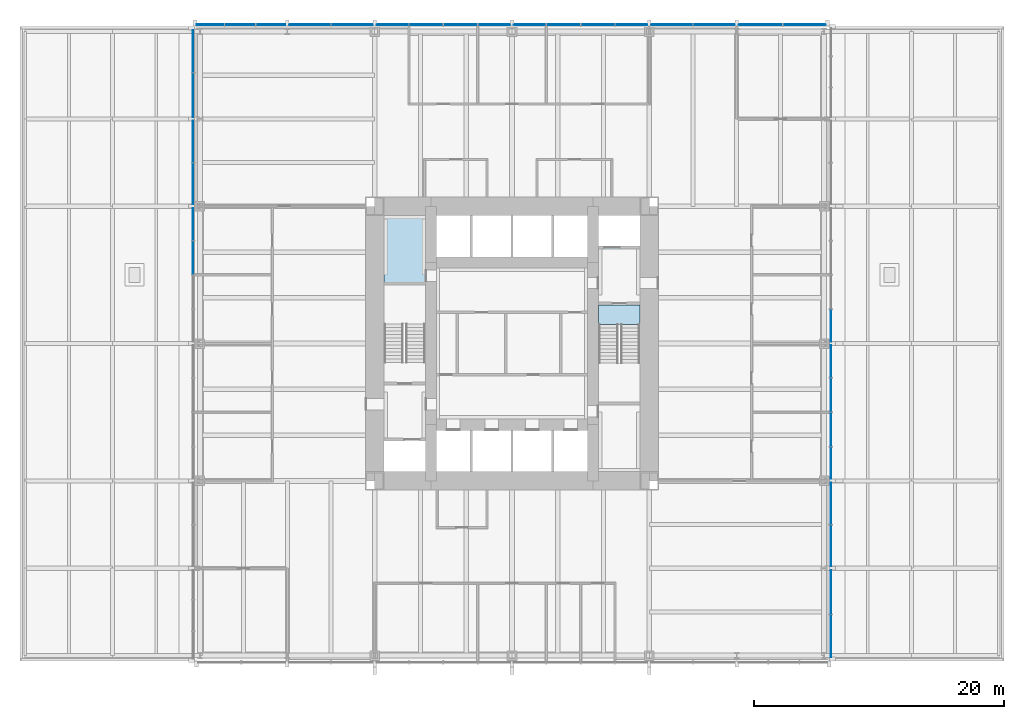
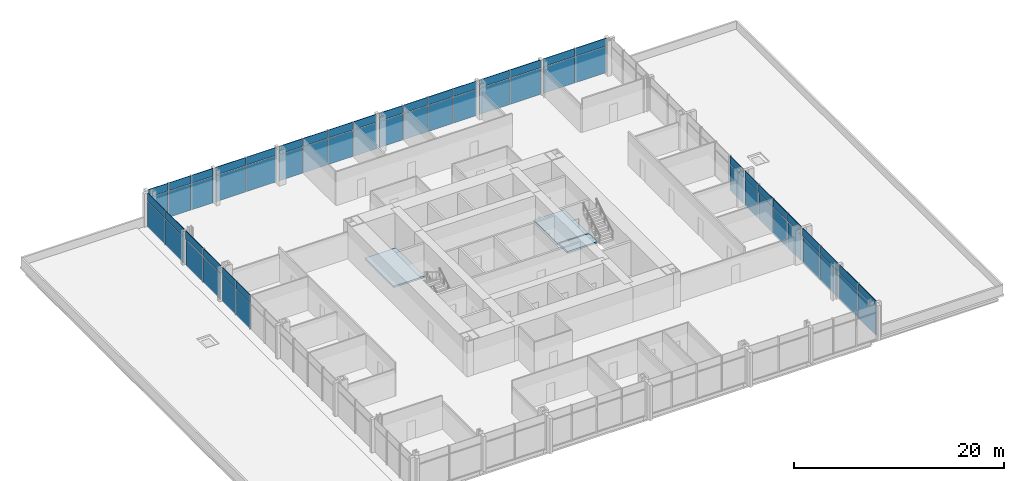
# One storey, part 10 of 15: 64 plates, 3 slabs, 4 elements without a shape of their own.
"""IFC4 building model written with IfcOpenShell, lengths in metres."""

from ifc_helpers import new_model, si_unit, direction, frame, origin, origin_2d, place, context, subcontext, project, spatial, polyline, rectangle, outline, extrude, material, layer, layer_set, type_object, element, aggregate, save


model = new_model("IFC4")

# Units and contexts
model_context = context("Model", 3, precision=1e-05, world=origin(), true_north=direction((0.0, 1.0)))
body_context = subcontext(model_context, "Body", "Model", "MODEL_VIEW")
ifc_project = project(units=[si_unit("LENGTHUNIT", "METRE"), si_unit("AREAUNIT", "SQUARE_METRE"), si_unit("VOLUMEUNIT", "CUBIC_METRE"), si_unit("PLANEANGLEUNIT", "RADIAN"), si_unit("MASSUNIT", "GRAM", prefix="KILO")], contexts=[model_context])

# Site, building, storey
site_placement = place(None, origin())
site = spatial("IfcSite", under=ifc_project, at=site_placement, CompositionType="ELEMENT")
building_placement = place(site_placement, origin())
building = spatial("IfcBuilding", under=site, at=building_placement, Name="Trevanion Tower", CompositionType="ELEMENT")
storey_placement = place(building_placement, frame((0.0, 0.0, 16.0)))
storey = spatial("IfcBuildingStorey", under=building, at=storey_placement, Name="L03", CompositionType="ELEMENT", Elevation=16.0)

# Curtain wall, plates
ifc_material_1 = material(Name="Aluminium and glass", Category="aluminium")
curtain_wall_type = type_object("IfcCurtainWallType", Name="CW1 curtain wall", PredefinedType="USERDEFINED", material=ifc_material_1)
curtain_wall_1_placement = place(storey_placement, origin())
curtain_wall_1 = element("IfcCurtainWall", 1, at=curtain_wall_1_placement, inside=storey, type_object=curtain_wall_type, Name="CW1 L03 0", ObjectType="UNITISED CURTAIN WALL", PredefinedType="USERDEFINED")
ifc_material_2 = material(Name="Aluminium spandrel panel", Category="aluminium")
ifc_layer_1 = layer(ifc_material_2, 0.06005859375)
ifc_layer_set_1 = layer_set([ifc_layer_1], Name="CW1 spandrel panel")
plate_type_1 = type_object("IfcPlateType", Name="CW1 spandrel panel", PredefinedType="CURTAIN_PANEL", material=ifc_layer_set_1)
plate_1_placement = place(storey_placement, frame((25.550048828125, -23.433837890625, 2.997314453125), z_axis=(0.0, 0.0, 1.0), x_axis=(0.0, 1.0, 0.0)))
plate_1 = element("IfcPlate", 2, at=plate_1_placement, type_object=plate_type_1, Name="CW1 panel 1.2", PredefinedType="CURTAIN_PANEL", context=body_context, shape_type="SweptSolid", body=[
    extrude(rectangle(XDim=3.37255859375, YDim=0.06005859375, at=origin_2d()), origin(), (0.0, 0.0, 1.0), 0.91259765625),
])
plate_2_placement = place(storey_placement, frame((25.550048828125, -19.911376953125, 2.997314453125), z_axis=(0.0, 0.0, 1.0), x_axis=(0.0, 1.0, 0.0)))
plate_2 = element("IfcPlate", 3, at=plate_2_placement, type_object=plate_type_1, Name="CW1 panel 2.2", PredefinedType="CURTAIN_PANEL", context=body_context, shape_type="SweptSolid", body=[
    extrude(rectangle(XDim=3.5224609375, YDim=0.06005859375, at=origin_2d()), origin(), (0.0, 0.0, 1.0), 0.91259765625),
])
plate_3_placement = place(storey_placement, frame((25.550048828125, -16.19384765625, 2.997314453125), z_axis=(0.0, 0.0, 1.0), x_axis=(0.0, 1.0, 0.0)))
plate_3 = element("IfcPlate", 4, at=plate_3_placement, type_object=plate_type_1, Name="CW1 panel 3.2", PredefinedType="CURTAIN_PANEL", context=body_context, shape_type="SweptSolid", body=[
    extrude(rectangle(XDim=3.3125, YDim=0.06005859375, at=origin_2d()), origin(), (0.0, 0.0, 1.0), 0.91259765625),
])
plate_4_placement = place(storey_placement, frame((25.550048828125, -12.806396484375, 2.997314453125), z_axis=(0.0, 0.0, 1.0), x_axis=(0.0, 1.0, 0.0)))
plate_4 = element("IfcPlate", 5, at=plate_4_placement, type_object=plate_type_1, Name="CW1 panel 4.2", PredefinedType="CURTAIN_PANEL", context=body_context, shape_type="SweptSolid", body=[
    extrude(rectangle(XDim=3.3125, YDim=0.06005859375, at=origin_2d()), origin(), (0.0, 0.0, 1.0), 0.91259765625),
])
plate_5_placement = place(storey_placement, frame((25.550048828125, -9.56884765625, 2.997314453125), z_axis=(0.0, 0.0, 1.0), x_axis=(0.0, 1.0, 0.0)))
plate_5 = element("IfcPlate", 6, at=plate_5_placement, type_object=plate_type_1, Name="CW1 panel 5.2", PredefinedType="CURTAIN_PANEL", context=body_context, shape_type="SweptSolid", body=[
    extrude(rectangle(XDim=2.5625, YDim=0.06005859375, at=origin_2d()), origin(), (0.0, 0.0, 1.0), 0.91259765625),
])
plate_6_placement = place(storey_placement, frame((25.550048828125, -6.875, 2.997314453125), z_axis=(0.0, 0.0, 1.0), x_axis=(0.0, 1.0, 0.0)))
plate_6 = element("IfcPlate", 7, at=plate_6_placement, type_object=plate_type_1, Name="CW1 panel 6.2", PredefinedType="CURTAIN_PANEL", context=body_context, shape_type="SweptSolid", body=[
    extrude(rectangle(XDim=2.675048828125, YDim=0.06005859375, at=origin_2d()), origin(), (0.0, 0.0, 1.0), 0.91259765625),
])
plate_7_placement = place(storey_placement, frame((25.550048828125, -4.125, 2.997314453125), z_axis=(0.0, 0.0, 1.0), x_axis=(0.0, 1.0, 0.0)))
plate_7 = element("IfcPlate", 8, at=plate_7_placement, type_object=plate_type_1, Name="CW1 panel 7.2", PredefinedType="CURTAIN_PANEL", context=body_context, shape_type="SweptSolid", body=[
    extrude(rectangle(XDim=2.675048828125, YDim=0.06005859375, at=origin_2d()), origin(), (0.0, 0.0, 1.0), 0.91259765625),
])
plate_8_placement = place(storey_placement, frame((25.550048828125, -1.43115234375, 2.997314453125), z_axis=(0.0, 0.0, 1.0), x_axis=(0.0, 1.0, 0.0)))
plate_8 = element("IfcPlate", 9, at=plate_8_placement, type_object=plate_type_1, Name="CW1 panel 8.2", PredefinedType="CURTAIN_PANEL", context=body_context, shape_type="SweptSolid", body=[
    extrude(rectangle(XDim=2.5625, YDim=0.06005859375, at=origin_2d()), origin(), (0.0, 0.0, 1.0), 0.91259765625),
])
plate_9_placement = place(storey_placement, frame((25.550048828125, 1.43115234375, 2.997314453125), z_axis=(0.0, 0.0, 1.0), x_axis=(0.0, 1.0, 0.0)))
plate_9 = element("IfcPlate", 10, at=plate_9_placement, type_object=plate_type_1, Name="CW1 panel 9.2", PredefinedType="CURTAIN_PANEL", context=body_context, shape_type="SweptSolid", body=[
    extrude(rectangle(XDim=2.5625, YDim=0.06005859375, at=origin_2d()), origin(), (0.0, 0.0, 1.0), 0.91259765625),
])

curtain_wall_2_placement = place(storey_placement, origin())
curtain_wall_2 = element("IfcCurtainWall", 11, at=curtain_wall_2_placement, inside=storey, type_object=curtain_wall_type, Name="CW1 L03 1", ObjectType="UNITISED CURTAIN WALL", PredefinedType="USERDEFINED")
plate_10_placement = place(storey_placement, frame((23.433837890625, 25.550048828125, 2.997314453125), z_axis=(0.0, 0.0, 1.0), x_axis=(-1.0, 0.0, 0.0)))
plate_10 = element("IfcPlate", 12, at=plate_10_placement, type_object=plate_type_1, Name="CW1 panel 1.2", PredefinedType="CURTAIN_PANEL", context=body_context, shape_type="SweptSolid", body=[
    extrude(rectangle(XDim=3.37255859375, YDim=0.06005859375, at=origin_2d()), origin(), (0.0, 0.0, 1.0), 0.91259765625),
])
plate_11_placement = place(storey_placement, frame((19.911376953125, 25.550048828125, 2.997314453125), z_axis=(0.0, 0.0, 1.0), x_axis=(-1.0, 0.0, 0.0)))
plate_11 = element("IfcPlate", 13, at=plate_11_placement, type_object=plate_type_1, Name="CW1 panel 2.2", PredefinedType="CURTAIN_PANEL", context=body_context, shape_type="SweptSolid", body=[
    extrude(rectangle(XDim=3.5224609375, YDim=0.06005859375, at=origin_2d()), origin(), (0.0, 0.0, 1.0), 0.91259765625),
])
plate_12_placement = place(storey_placement, frame((16.19384765625, 25.550048828125, 2.997314453125), z_axis=(0.0, 0.0, 1.0), x_axis=(-1.0, 0.0, 0.0)))
plate_12 = element("IfcPlate", 14, at=plate_12_placement, type_object=plate_type_1, Name="CW1 panel 3.2", PredefinedType="CURTAIN_PANEL", context=body_context, shape_type="SweptSolid", body=[
    extrude(rectangle(XDim=3.3125, YDim=0.06005859375, at=origin_2d()), origin(), (0.0, 0.0, 1.0), 0.91259765625),
])
plate_13_placement = place(storey_placement, frame((12.806396484375, 25.550048828125, 2.997314453125), z_axis=(0.0, 0.0, 1.0), x_axis=(-1.0, 0.0, 0.0)))
plate_13 = element("IfcPlate", 15, at=plate_13_placement, type_object=plate_type_1, Name="CW1 panel 4.2", PredefinedType="CURTAIN_PANEL", context=body_context, shape_type="SweptSolid", body=[
    extrude(rectangle(XDim=3.3125, YDim=0.06005859375, at=origin_2d()), origin(), (0.0, 0.0, 1.0), 0.91259765625),
])
plate_14_placement = place(storey_placement, frame((9.56884765625, 25.550048828125, 2.997314453125), z_axis=(0.0, 0.0, 1.0), x_axis=(-1.0, 0.0, 0.0)))
plate_14 = element("IfcPlate", 16, at=plate_14_placement, type_object=plate_type_1, Name="CW1 panel 5.2", PredefinedType="CURTAIN_PANEL", context=body_context, shape_type="SweptSolid", body=[
    extrude(rectangle(XDim=2.5625, YDim=0.06005859375, at=origin_2d()), origin(), (0.0, 0.0, 1.0), 0.91259765625),
])
plate_15_placement = place(storey_placement, frame((6.875, 25.550048828125, 2.997314453125), z_axis=(0.0, 0.0, 1.0), x_axis=(-1.0, 0.0, 0.0)))
plate_15 = element("IfcPlate", 17, at=plate_15_placement, type_object=plate_type_1, Name="CW1 panel 6.2", PredefinedType="CURTAIN_PANEL", context=body_context, shape_type="SweptSolid", body=[
    extrude(rectangle(XDim=2.675048828125, YDim=0.06005859375, at=origin_2d()), origin(), (0.0, 0.0, 1.0), 0.91259765625),
])
plate_16_placement = place(storey_placement, frame((4.125, 25.550048828125, 2.997314453125), z_axis=(0.0, 0.0, 1.0), x_axis=(-1.0, 0.0, 0.0)))
plate_16 = element("IfcPlate", 18, at=plate_16_placement, type_object=plate_type_1, Name="CW1 panel 7.2", PredefinedType="CURTAIN_PANEL", context=body_context, shape_type="SweptSolid", body=[
    extrude(rectangle(XDim=2.675048828125, YDim=0.06005859375, at=origin_2d()), origin(), (0.0, 0.0, 1.0), 0.91259765625),
])
plate_17_placement = place(storey_placement, frame((1.43115234375, 25.550048828125, 2.997314453125), z_axis=(0.0, 0.0, 1.0), x_axis=(-1.0, 0.0, 0.0)))
plate_17 = element("IfcPlate", 19, at=plate_17_placement, type_object=plate_type_1, Name="CW1 panel 8.2", PredefinedType="CURTAIN_PANEL", context=body_context, shape_type="SweptSolid", body=[
    extrude(rectangle(XDim=2.5625, YDim=0.06005859375, at=origin_2d()), origin(), (0.0, 0.0, 1.0), 0.91259765625),
])
plate_18_placement = place(storey_placement, frame((-1.43115234375, 25.550048828125, 2.997314453125), z_axis=(0.0, 0.0, 1.0), x_axis=(-1.0, 0.0, 0.0)))
plate_18 = element("IfcPlate", 20, at=plate_18_placement, type_object=plate_type_1, Name="CW1 panel 9.2", PredefinedType="CURTAIN_PANEL", context=body_context, shape_type="SweptSolid", body=[
    extrude(rectangle(XDim=2.5625, YDim=0.06005859375, at=origin_2d()), origin(), (0.0, 0.0, 1.0), 0.91259765625),
])
plate_19_placement = place(storey_placement, frame((-4.125, 25.550048828125, 2.997314453125), z_axis=(0.0, 0.0, 1.0), x_axis=(-1.0, 0.0, 0.0)))
plate_19 = element("IfcPlate", 21, at=plate_19_placement, type_object=plate_type_1, Name="CW1 panel 10.2", PredefinedType="CURTAIN_PANEL", context=body_context, shape_type="SweptSolid", body=[
    extrude(rectangle(XDim=2.675048828125, YDim=0.06005859375, at=origin_2d()), origin(), (0.0, 0.0, 1.0), 0.91259765625),
])
plate_20_placement = place(storey_placement, frame((-6.875, 25.550048828125, 2.997314453125), z_axis=(0.0, 0.0, 1.0), x_axis=(-1.0, 0.0, 0.0)))
plate_20 = element("IfcPlate", 22, at=plate_20_placement, type_object=plate_type_1, Name="CW1 panel 11.2", PredefinedType="CURTAIN_PANEL", context=body_context, shape_type="SweptSolid", body=[
    extrude(rectangle(XDim=2.675048828125, YDim=0.06005859375, at=origin_2d()), origin(), (0.0, 0.0, 1.0), 0.91259765625),
])
plate_21_placement = place(storey_placement, frame((-9.56884765625, 25.550048828125, 2.997314453125), z_axis=(0.0, 0.0, 1.0), x_axis=(-1.0, 0.0, 0.0)))
plate_21 = element("IfcPlate", 23, at=plate_21_placement, type_object=plate_type_1, Name="CW1 panel 12.2", PredefinedType="CURTAIN_PANEL", context=body_context, shape_type="SweptSolid", body=[
    extrude(rectangle(XDim=2.5625, YDim=0.06005859375, at=origin_2d()), origin(), (0.0, 0.0, 1.0), 0.91259765625),
])
plate_22_placement = place(storey_placement, frame((-12.80615234375, 25.550048828125, 2.997314453125), z_axis=(0.0, 0.0, 1.0), x_axis=(-1.0, 0.0, 0.0)))
plate_22 = element("IfcPlate", 24, at=plate_22_placement, type_object=plate_type_1, Name="CW1 panel 13.2", PredefinedType="CURTAIN_PANEL", context=body_context, shape_type="SweptSolid", body=[
    extrude(rectangle(XDim=3.3125, YDim=0.06005859375, at=origin_2d()), origin(), (0.0, 0.0, 1.0), 0.91259765625),
])
plate_23_placement = place(storey_placement, frame((-16.19384765625, 25.550048828125, 2.997314453125), z_axis=(0.0, 0.0, 1.0), x_axis=(-1.0, 0.0, 0.0)))
plate_23 = element("IfcPlate", 25, at=plate_23_placement, type_object=plate_type_1, Name="CW1 panel 14.2", PredefinedType="CURTAIN_PANEL", context=body_context, shape_type="SweptSolid", body=[
    extrude(rectangle(XDim=3.3125, YDim=0.06005859375, at=origin_2d()), origin(), (0.0, 0.0, 1.0), 0.91259765625),
])
plate_24_placement = place(storey_placement, frame((-19.314697265625, 25.550048828125, 2.997314453125), z_axis=(0.0, 0.0, 1.0), x_axis=(-1.0, 0.0, 0.0)))
plate_24 = element("IfcPlate", 26, at=plate_24_placement, type_object=plate_type_1, Name="CW1 panel 15.2", PredefinedType="CURTAIN_PANEL", context=body_context, shape_type="SweptSolid", body=[
    extrude(rectangle(XDim=2.3291015625, YDim=0.06005859375, at=origin_2d()), origin(), (0.0, 0.0, 1.0), 0.91259765625),
])
plate_25_placement = place(storey_placement, frame((-21.77490234375, 25.550048828125, 2.997314453125), z_axis=(0.0, 0.0, 1.0), x_axis=(-1.0, 0.0, 0.0)))
plate_25 = element("IfcPlate", 27, at=plate_25_placement, type_object=plate_type_1, Name="CW1 panel 16.2", PredefinedType="CURTAIN_PANEL", context=body_context, shape_type="SweptSolid", body=[
    extrude(rectangle(XDim=2.441650390625, YDim=0.06005859375, at=origin_2d()), origin(), (0.0, 0.0, 1.0), 0.91259765625),
])
plate_26_placement = place(storey_placement, frame((-24.160400390625, 25.550048828125, 2.997314453125), z_axis=(0.0, 0.0, 1.0), x_axis=(-1.0, 0.0, 0.0)))
plate_26 = element("IfcPlate", 28, at=plate_26_placement, type_object=plate_type_1, Name="CW1 panel 17.2", PredefinedType="CURTAIN_PANEL", context=body_context, shape_type="SweptSolid", body=[
    extrude(rectangle(XDim=2.17919921875, YDim=0.06005859375, at=origin_2d()), origin(), (0.0, 0.0, 1.0), 0.91259765625),
])

curtain_wall_3_placement = place(storey_placement, origin())
curtain_wall_3 = element("IfcCurtainWall", 29, at=curtain_wall_3_placement, inside=storey, type_object=curtain_wall_type, Name="CW1 L03 2", ObjectType="UNITISED CURTAIN WALL", PredefinedType="USERDEFINED")
plate_27_placement = place(storey_placement, frame((-25.550048828125, 23.433837890625, 2.997314453125), z_axis=(0.0, 0.0, 1.0), x_axis=(0.0, -1.0, 0.0)))
plate_27 = element("IfcPlate", 30, at=plate_27_placement, type_object=plate_type_1, Name="CW1 panel 1.2", PredefinedType="CURTAIN_PANEL", context=body_context, shape_type="SweptSolid", body=[
    extrude(rectangle(XDim=3.37255859375, YDim=0.06005859375, at=origin_2d()), origin(), (0.0, 0.0, 1.0), 0.91259765625),
])
plate_28_placement = place(storey_placement, frame((-25.550048828125, 19.911376953125, 2.997314453125), z_axis=(0.0, 0.0, 1.0), x_axis=(0.0, -1.0, 0.0)))
plate_28 = element("IfcPlate", 31, at=plate_28_placement, type_object=plate_type_1, Name="CW1 panel 2.2", PredefinedType="CURTAIN_PANEL", context=body_context, shape_type="SweptSolid", body=[
    extrude(rectangle(XDim=3.5224609375, YDim=0.06005859375, at=origin_2d()), origin(), (0.0, 0.0, 1.0), 0.91259765625),
])
plate_29_placement = place(storey_placement, frame((-25.550048828125, 16.19384765625, 2.997314453125), z_axis=(0.0, 0.0, 1.0), x_axis=(0.0, -1.0, 0.0)))
plate_29 = element("IfcPlate", 32, at=plate_29_placement, type_object=plate_type_1, Name="CW1 panel 3.2", PredefinedType="CURTAIN_PANEL", context=body_context, shape_type="SweptSolid", body=[
    extrude(rectangle(XDim=3.3125, YDim=0.06005859375, at=origin_2d()), origin(), (0.0, 0.0, 1.0), 0.91259765625),
])
plate_30_placement = place(storey_placement, frame((-25.550048828125, 12.806396484375, 2.997314453125), z_axis=(0.0, 0.0, 1.0), x_axis=(0.0, -1.0, 0.0)))
plate_30 = element("IfcPlate", 33, at=plate_30_placement, type_object=plate_type_1, Name="CW1 panel 4.2", PredefinedType="CURTAIN_PANEL", context=body_context, shape_type="SweptSolid", body=[
    extrude(rectangle(XDim=3.3125, YDim=0.06005859375, at=origin_2d()), origin(), (0.0, 0.0, 1.0), 0.91259765625),
])
plate_31_placement = place(storey_placement, frame((-25.550048828125, 9.56884765625, 2.997314453125), z_axis=(0.0, 0.0, 1.0), x_axis=(0.0, -1.0, 0.0)))
plate_31 = element("IfcPlate", 34, at=plate_31_placement, type_object=plate_type_1, Name="CW1 panel 5.2", PredefinedType="CURTAIN_PANEL", context=body_context, shape_type="SweptSolid", body=[
    extrude(rectangle(XDim=2.5625, YDim=0.06005859375, at=origin_2d()), origin(), (0.0, 0.0, 1.0), 0.91259765625),
])
plate_32_placement = place(storey_placement, frame((-25.550048828125, 6.875, 2.997314453125), z_axis=(0.0, 0.0, 1.0), x_axis=(0.0, -1.0, 0.0)))
plate_32 = element("IfcPlate", 35, at=plate_32_placement, type_object=plate_type_1, Name="CW1 panel 6.2", PredefinedType="CURTAIN_PANEL", context=body_context, shape_type="SweptSolid", body=[
    extrude(rectangle(XDim=2.675048828125, YDim=0.06005859375, at=origin_2d()), origin(), (0.0, 0.0, 1.0), 0.91259765625),
])

# Plate
ifc_material_3 = material(Name="Insulating glass unit", Category="glass")
ifc_layer_2 = layer(ifc_material_3, 0.028076171875)
ifc_layer_set_2 = layer_set([ifc_layer_2], Name="CW1 vision panel")
plate_type_2 = type_object("IfcPlateType", Name="CW1 vision panel", PredefinedType="CURTAIN_PANEL", material=ifc_layer_set_2)
plate_33_placement = place(storey_placement, frame((25.550048828125, -23.433837890625, -0.114990234375), z_axis=(0.0, 0.0, 1.0), x_axis=(0.0, 1.0, 0.0)))
plate_33 = element("IfcPlate", 36, at=plate_33_placement, type_object=plate_type_2, Name="CW1 panel 1.1", PredefinedType="CURTAIN_PANEL", context=body_context, shape_type="SweptSolid", body=[
    extrude(rectangle(XDim=3.37255859375, YDim=0.028076171875, at=origin_2d()), origin(), (0.0, 0.0, 1.0), 3.03759765625),
])

plate_34_placement = place(storey_placement, frame((25.550048828125, -19.911376953125, -0.114990234375), z_axis=(0.0, 0.0, 1.0), x_axis=(0.0, 1.0, 0.0)))
plate_34 = element("IfcPlate", 37, at=plate_34_placement, type_object=plate_type_2, Name="CW1 panel 2.1", PredefinedType="CURTAIN_PANEL", context=body_context, shape_type="SweptSolid", body=[
    extrude(rectangle(XDim=3.5224609375, YDim=0.028076171875, at=origin_2d()), origin(), (0.0, 0.0, 1.0), 3.03759765625),
])

plate_35_placement = place(storey_placement, frame((25.550048828125, -16.19384765625, -0.114990234375), z_axis=(0.0, 0.0, 1.0), x_axis=(0.0, 1.0, 0.0)))
plate_35 = element("IfcPlate", 38, at=plate_35_placement, type_object=plate_type_2, Name="CW1 panel 3.1", PredefinedType="CURTAIN_PANEL", context=body_context, shape_type="SweptSolid", body=[
    extrude(rectangle(XDim=3.3125, YDim=0.028076171875, at=origin_2d()), origin(), (0.0, 0.0, 1.0), 3.03759765625),
])

plate_36_placement = place(storey_placement, frame((25.550048828125, -12.806396484375, -0.114990234375), z_axis=(0.0, 0.0, 1.0), x_axis=(0.0, 1.0, 0.0)))
plate_36 = element("IfcPlate", 39, at=plate_36_placement, type_object=plate_type_2, Name="CW1 panel 4.1", PredefinedType="CURTAIN_PANEL", context=body_context, shape_type="SweptSolid", body=[
    extrude(rectangle(XDim=3.3125, YDim=0.028076171875, at=origin_2d()), origin(), (0.0, 0.0, 1.0), 3.03759765625),
])

plate_37_placement = place(storey_placement, frame((25.550048828125, -9.56884765625, -0.114990234375), z_axis=(0.0, 0.0, 1.0), x_axis=(0.0, 1.0, 0.0)))
plate_37 = element("IfcPlate", 40, at=plate_37_placement, type_object=plate_type_2, Name="CW1 panel 5.1", PredefinedType="CURTAIN_PANEL", context=body_context, shape_type="SweptSolid", body=[
    extrude(rectangle(XDim=2.5625, YDim=0.028076171875, at=origin_2d()), origin(), (0.0, 0.0, 1.0), 3.03759765625),
])

plate_38_placement = place(storey_placement, frame((25.550048828125, -6.875, -0.114990234375), z_axis=(0.0, 0.0, 1.0), x_axis=(0.0, 1.0, 0.0)))
plate_38 = element("IfcPlate", 41, at=plate_38_placement, type_object=plate_type_2, Name="CW1 panel 6.1", PredefinedType="CURTAIN_PANEL", context=body_context, shape_type="SweptSolid", body=[
    extrude(rectangle(XDim=2.675048828125, YDim=0.028076171875, at=origin_2d()), origin(), (0.0, 0.0, 1.0), 3.03759765625),
])

plate_39_placement = place(storey_placement, frame((25.550048828125, -4.125, -0.114990234375), z_axis=(0.0, 0.0, 1.0), x_axis=(0.0, 1.0, 0.0)))
plate_39 = element("IfcPlate", 42, at=plate_39_placement, type_object=plate_type_2, Name="CW1 panel 7.1", PredefinedType="CURTAIN_PANEL", context=body_context, shape_type="SweptSolid", body=[
    extrude(rectangle(XDim=2.675048828125, YDim=0.028076171875, at=origin_2d()), origin(), (0.0, 0.0, 1.0), 3.03759765625),
])

plate_40_placement = place(storey_placement, frame((25.550048828125, -1.43115234375, -0.114990234375), z_axis=(0.0, 0.0, 1.0), x_axis=(0.0, 1.0, 0.0)))
plate_40 = element("IfcPlate", 43, at=plate_40_placement, type_object=plate_type_2, Name="CW1 panel 8.1", PredefinedType="CURTAIN_PANEL", context=body_context, shape_type="SweptSolid", body=[
    extrude(rectangle(XDim=2.5625, YDim=0.028076171875, at=origin_2d()), origin(), (0.0, 0.0, 1.0), 3.03759765625),
])

plate_41_placement = place(storey_placement, frame((25.550048828125, 1.43115234375, -0.114990234375), z_axis=(0.0, 0.0, 1.0), x_axis=(0.0, 1.0, 0.0)))
plate_41 = element("IfcPlate", 44, at=plate_41_placement, type_object=plate_type_2, Name="CW1 panel 9.1", PredefinedType="CURTAIN_PANEL", context=body_context, shape_type="SweptSolid", body=[
    extrude(rectangle(XDim=2.5625, YDim=0.028076171875, at=origin_2d()), origin(), (0.0, 0.0, 1.0), 3.03759765625),
])

aggregate(curtain_wall_1, [plate_33, plate_1, plate_34, plate_2, plate_35, plate_3, plate_36, plate_4, plate_37, plate_5, plate_38, plate_6, plate_39, plate_7, plate_40, plate_8, plate_41, plate_9])

plate_42_placement = place(storey_placement, frame((23.433837890625, 25.550048828125, -0.114990234375), z_axis=(0.0, 0.0, 1.0), x_axis=(-1.0, 0.0, 0.0)))
plate_42 = element("IfcPlate", 45, at=plate_42_placement, type_object=plate_type_2, Name="CW1 panel 1.1", PredefinedType="CURTAIN_PANEL", context=body_context, shape_type="SweptSolid", body=[
    extrude(rectangle(XDim=3.37255859375, YDim=0.028076171875, at=origin_2d()), origin(), (0.0, 0.0, 1.0), 3.03759765625),
])

plate_43_placement = place(storey_placement, frame((19.911376953125, 25.550048828125, -0.114990234375), z_axis=(0.0, 0.0, 1.0), x_axis=(-1.0, 0.0, 0.0)))
plate_43 = element("IfcPlate", 46, at=plate_43_placement, type_object=plate_type_2, Name="CW1 panel 2.1", PredefinedType="CURTAIN_PANEL", context=body_context, shape_type="SweptSolid", body=[
    extrude(rectangle(XDim=3.5224609375, YDim=0.028076171875, at=origin_2d()), origin(), (0.0, 0.0, 1.0), 3.03759765625),
])

plate_44_placement = place(storey_placement, frame((16.19384765625, 25.550048828125, -0.114990234375), z_axis=(0.0, 0.0, 1.0), x_axis=(-1.0, 0.0, 0.0)))
plate_44 = element("IfcPlate", 47, at=plate_44_placement, type_object=plate_type_2, Name="CW1 panel 3.1", PredefinedType="CURTAIN_PANEL", context=body_context, shape_type="SweptSolid", body=[
    extrude(rectangle(XDim=3.3125, YDim=0.028076171875, at=origin_2d()), origin(), (0.0, 0.0, 1.0), 3.03759765625),
])

plate_45_placement = place(storey_placement, frame((12.806396484375, 25.550048828125, -0.114990234375), z_axis=(0.0, 0.0, 1.0), x_axis=(-1.0, 0.0, 0.0)))
plate_45 = element("IfcPlate", 48, at=plate_45_placement, type_object=plate_type_2, Name="CW1 panel 4.1", PredefinedType="CURTAIN_PANEL", context=body_context, shape_type="SweptSolid", body=[
    extrude(rectangle(XDim=3.3125, YDim=0.028076171875, at=origin_2d()), origin(), (0.0, 0.0, 1.0), 3.03759765625),
])

plate_46_placement = place(storey_placement, frame((9.56884765625, 25.550048828125, -0.114990234375), z_axis=(0.0, 0.0, 1.0), x_axis=(-1.0, 0.0, 0.0)))
plate_46 = element("IfcPlate", 49, at=plate_46_placement, type_object=plate_type_2, Name="CW1 panel 5.1", PredefinedType="CURTAIN_PANEL", context=body_context, shape_type="SweptSolid", body=[
    extrude(rectangle(XDim=2.5625, YDim=0.028076171875, at=origin_2d()), origin(), (0.0, 0.0, 1.0), 3.03759765625),
])

plate_47_placement = place(storey_placement, frame((6.875, 25.550048828125, -0.114990234375), z_axis=(0.0, 0.0, 1.0), x_axis=(-1.0, 0.0, 0.0)))
plate_47 = element("IfcPlate", 50, at=plate_47_placement, type_object=plate_type_2, Name="CW1 panel 6.1", PredefinedType="CURTAIN_PANEL", context=body_context, shape_type="SweptSolid", body=[
    extrude(rectangle(XDim=2.675048828125, YDim=0.028076171875, at=origin_2d()), origin(), (0.0, 0.0, 1.0), 3.03759765625),
])

plate_48_placement = place(storey_placement, frame((4.125, 25.550048828125, -0.114990234375), z_axis=(0.0, 0.0, 1.0), x_axis=(-1.0, 0.0, 0.0)))
plate_48 = element("IfcPlate", 51, at=plate_48_placement, type_object=plate_type_2, Name="CW1 panel 7.1", PredefinedType="CURTAIN_PANEL", context=body_context, shape_type="SweptSolid", body=[
    extrude(rectangle(XDim=2.675048828125, YDim=0.028076171875, at=origin_2d()), origin(), (0.0, 0.0, 1.0), 3.03759765625),
])

plate_49_placement = place(storey_placement, frame((1.43115234375, 25.550048828125, -0.114990234375), z_axis=(0.0, 0.0, 1.0), x_axis=(-1.0, 0.0, 0.0)))
plate_49 = element("IfcPlate", 52, at=plate_49_placement, type_object=plate_type_2, Name="CW1 panel 8.1", PredefinedType="CURTAIN_PANEL", context=body_context, shape_type="SweptSolid", body=[
    extrude(rectangle(XDim=2.5625, YDim=0.028076171875, at=origin_2d()), origin(), (0.0, 0.0, 1.0), 3.03759765625),
])

plate_50_placement = place(storey_placement, frame((-1.43115234375, 25.550048828125, -0.114990234375), z_axis=(0.0, 0.0, 1.0), x_axis=(-1.0, 0.0, 0.0)))
plate_50 = element("IfcPlate", 53, at=plate_50_placement, type_object=plate_type_2, Name="CW1 panel 9.1", PredefinedType="CURTAIN_PANEL", context=body_context, shape_type="SweptSolid", body=[
    extrude(rectangle(XDim=2.5625, YDim=0.028076171875, at=origin_2d()), origin(), (0.0, 0.0, 1.0), 3.03759765625),
])

plate_51_placement = place(storey_placement, frame((-4.125, 25.550048828125, -0.114990234375), z_axis=(0.0, 0.0, 1.0), x_axis=(-1.0, 0.0, 0.0)))
plate_51 = element("IfcPlate", 54, at=plate_51_placement, type_object=plate_type_2, Name="CW1 panel 10.1", PredefinedType="CURTAIN_PANEL", context=body_context, shape_type="SweptSolid", body=[
    extrude(rectangle(XDim=2.675048828125, YDim=0.028076171875, at=origin_2d()), origin(), (0.0, 0.0, 1.0), 3.03759765625),
])

plate_52_placement = place(storey_placement, frame((-6.875, 25.550048828125, -0.114990234375), z_axis=(0.0, 0.0, 1.0), x_axis=(-1.0, 0.0, 0.0)))
plate_52 = element("IfcPlate", 55, at=plate_52_placement, type_object=plate_type_2, Name="CW1 panel 11.1", PredefinedType="CURTAIN_PANEL", context=body_context, shape_type="SweptSolid", body=[
    extrude(rectangle(XDim=2.675048828125, YDim=0.028076171875, at=origin_2d()), origin(), (0.0, 0.0, 1.0), 3.03759765625),
])

plate_53_placement = place(storey_placement, frame((-9.56884765625, 25.550048828125, -0.114990234375), z_axis=(0.0, 0.0, 1.0), x_axis=(-1.0, 0.0, 0.0)))
plate_53 = element("IfcPlate", 56, at=plate_53_placement, type_object=plate_type_2, Name="CW1 panel 12.1", PredefinedType="CURTAIN_PANEL", context=body_context, shape_type="SweptSolid", body=[
    extrude(rectangle(XDim=2.5625, YDim=0.028076171875, at=origin_2d()), origin(), (0.0, 0.0, 1.0), 3.03759765625),
])

plate_54_placement = place(storey_placement, frame((-12.80615234375, 25.550048828125, -0.114990234375), z_axis=(0.0, 0.0, 1.0), x_axis=(-1.0, 0.0, 0.0)))
plate_54 = element("IfcPlate", 57, at=plate_54_placement, type_object=plate_type_2, Name="CW1 panel 13.1", PredefinedType="CURTAIN_PANEL", context=body_context, shape_type="SweptSolid", body=[
    extrude(rectangle(XDim=3.3125, YDim=0.028076171875, at=origin_2d()), origin(), (0.0, 0.0, 1.0), 3.03759765625),
])

plate_55_placement = place(storey_placement, frame((-16.19384765625, 25.550048828125, -0.114990234375), z_axis=(0.0, 0.0, 1.0), x_axis=(-1.0, 0.0, 0.0)))
plate_55 = element("IfcPlate", 58, at=plate_55_placement, type_object=plate_type_2, Name="CW1 panel 14.1", PredefinedType="CURTAIN_PANEL", context=body_context, shape_type="SweptSolid", body=[
    extrude(rectangle(XDim=3.3125, YDim=0.028076171875, at=origin_2d()), origin(), (0.0, 0.0, 1.0), 3.03759765625),
])

plate_56_placement = place(storey_placement, frame((-19.314697265625, 25.550048828125, -0.114990234375), z_axis=(0.0, 0.0, 1.0), x_axis=(-1.0, 0.0, 0.0)))
plate_56 = element("IfcPlate", 59, at=plate_56_placement, type_object=plate_type_2, Name="CW1 panel 15.1", PredefinedType="CURTAIN_PANEL", context=body_context, shape_type="SweptSolid", body=[
    extrude(rectangle(XDim=2.3291015625, YDim=0.028076171875, at=origin_2d()), origin(), (0.0, 0.0, 1.0), 3.03759765625),
])

plate_57_placement = place(storey_placement, frame((-21.77490234375, 25.550048828125, -0.114990234375), z_axis=(0.0, 0.0, 1.0), x_axis=(-1.0, 0.0, 0.0)))
plate_57 = element("IfcPlate", 60, at=plate_57_placement, type_object=plate_type_2, Name="CW1 panel 16.1", PredefinedType="CURTAIN_PANEL", context=body_context, shape_type="SweptSolid", body=[
    extrude(rectangle(XDim=2.441650390625, YDim=0.028076171875, at=origin_2d()), origin(), (0.0, 0.0, 1.0), 3.03759765625),
])

plate_58_placement = place(storey_placement, frame((-24.160400390625, 25.550048828125, -0.114990234375), z_axis=(0.0, 0.0, 1.0), x_axis=(-1.0, 0.0, 0.0)))
plate_58 = element("IfcPlate", 61, at=plate_58_placement, type_object=plate_type_2, Name="CW1 panel 17.1", PredefinedType="CURTAIN_PANEL", context=body_context, shape_type="SweptSolid", body=[
    extrude(rectangle(XDim=2.17919921875, YDim=0.028076171875, at=origin_2d()), origin(), (0.0, 0.0, 1.0), 3.03759765625),
])

aggregate(curtain_wall_2, [plate_42, plate_10, plate_43, plate_11, plate_44, plate_12, plate_45, plate_13, plate_46, plate_14, plate_47, plate_15, plate_48, plate_16, plate_49, plate_17, plate_50, plate_18, plate_51, plate_19, plate_52, plate_20, plate_53, plate_21, plate_54, plate_22, plate_55, plate_23, plate_56, plate_24, plate_57, plate_25, plate_58, plate_26])

plate_59_placement = place(storey_placement, frame((-25.550048828125, 23.433837890625, -0.114990234375), z_axis=(0.0, 0.0, 1.0), x_axis=(0.0, -1.0, 0.0)))
plate_59 = element("IfcPlate", 62, at=plate_59_placement, type_object=plate_type_2, Name="CW1 panel 1.1", PredefinedType="CURTAIN_PANEL", context=body_context, shape_type="SweptSolid", body=[
    extrude(rectangle(XDim=3.37255859375, YDim=0.028076171875, at=origin_2d()), origin(), (0.0, 0.0, 1.0), 3.03759765625),
])

plate_60_placement = place(storey_placement, frame((-25.550048828125, 19.911376953125, -0.114990234375), z_axis=(0.0, 0.0, 1.0), x_axis=(0.0, -1.0, 0.0)))
plate_60 = element("IfcPlate", 63, at=plate_60_placement, type_object=plate_type_2, Name="CW1 panel 2.1", PredefinedType="CURTAIN_PANEL", context=body_context, shape_type="SweptSolid", body=[
    extrude(rectangle(XDim=3.5224609375, YDim=0.028076171875, at=origin_2d()), origin(), (0.0, 0.0, 1.0), 3.03759765625),
])

plate_61_placement = place(storey_placement, frame((-25.550048828125, 16.19384765625, -0.114990234375), z_axis=(0.0, 0.0, 1.0), x_axis=(0.0, -1.0, 0.0)))
plate_61 = element("IfcPlate", 64, at=plate_61_placement, type_object=plate_type_2, Name="CW1 panel 3.1", PredefinedType="CURTAIN_PANEL", context=body_context, shape_type="SweptSolid", body=[
    extrude(rectangle(XDim=3.3125, YDim=0.028076171875, at=origin_2d()), origin(), (0.0, 0.0, 1.0), 3.03759765625),
])

plate_62_placement = place(storey_placement, frame((-25.550048828125, 12.806396484375, -0.114990234375), z_axis=(0.0, 0.0, 1.0), x_axis=(0.0, -1.0, 0.0)))
plate_62 = element("IfcPlate", 65, at=plate_62_placement, type_object=plate_type_2, Name="CW1 panel 4.1", PredefinedType="CURTAIN_PANEL", context=body_context, shape_type="SweptSolid", body=[
    extrude(rectangle(XDim=3.3125, YDim=0.028076171875, at=origin_2d()), origin(), (0.0, 0.0, 1.0), 3.03759765625),
])

plate_63_placement = place(storey_placement, frame((-25.550048828125, 9.56884765625, -0.114990234375), z_axis=(0.0, 0.0, 1.0), x_axis=(0.0, -1.0, 0.0)))
plate_63 = element("IfcPlate", 66, at=plate_63_placement, type_object=plate_type_2, Name="CW1 panel 5.1", PredefinedType="CURTAIN_PANEL", context=body_context, shape_type="SweptSolid", body=[
    extrude(rectangle(XDim=2.5625, YDim=0.028076171875, at=origin_2d()), origin(), (0.0, 0.0, 1.0), 3.03759765625),
])

plate_64_placement = place(storey_placement, frame((-25.550048828125, 6.875, -0.114990234375), z_axis=(0.0, 0.0, 1.0), x_axis=(0.0, -1.0, 0.0)))
plate_64 = element("IfcPlate", 67, at=plate_64_placement, type_object=plate_type_2, Name="CW1 panel 6.1", PredefinedType="CURTAIN_PANEL", context=body_context, shape_type="SweptSolid", body=[
    extrude(rectangle(XDim=2.675048828125, YDim=0.028076171875, at=origin_2d()), origin(), (0.0, 0.0, 1.0), 3.03759765625),
])

aggregate(curtain_wall_3, [plate_59, plate_27, plate_60, plate_28, plate_61, plate_29, plate_62, plate_30, plate_63, plate_31, plate_64, plate_32])

# Slabs
ifc_material_4 = material(Name="Concrete 5,000 psi", Category="concrete")
ifc_layer_3 = layer(ifc_material_4, 0.199951171875)
ifc_layer_set_3 = layer_set([ifc_layer_3], Name="SL2 core floor 200")
slab_type_1 = type_object("IfcSlabType", Name="SL2 core floor 200", PredefinedType="FLOOR", material=ifc_layer_set_3)
slab_1_placement = place(storey_placement, frame((0.0, 0.0, -0.199951171875)))
element("IfcSlab", 68, at=slab_1_placement, inside=storey, type_object=slab_type_1, Name="SL2 L03 core floor 4", PredefinedType="FLOOR", context=body_context, shape_type="SweptSolid", body=[
    extrude(outline(polyline([(6.830078125, 3.205078125), (6.830078125, 7.695068359375), (10.25, 7.695068359375), (10.25, 3.205078125), (6.830078125, 3.205078125)])), origin(), (0.0, 0.0, 1.0), 0.199951171875),
])
slab_2_placement = place(storey_placement, frame((0.0, 0.0, -0.199951171875)))
element("IfcSlab", 69, at=slab_2_placement, inside=storey, type_object=slab_type_1, Name="SL2 L03 core floor 5", PredefinedType="FLOOR", context=body_context, shape_type="SweptSolid", body=[
    extrude(outline(polyline([(-6.830078125, 4.804931640625), (-10.25, 4.804931640625), (-10.25, 10.25), (-6.830078125, 10.25), (-6.830078125, 4.804931640625)])), origin(), (0.0, 0.0, 1.0), 0.199951171875),
])

# Stair, slab
ifc_material_5 = material(Name="Concrete 5,000 psi on steel stringers", Category="concrete")
stair_type = type_object("IfcStairType", Name="ST stair", PredefinedType="HALF_TURN_STAIR", material=ifc_material_5)
stair_placement = place(storey_placement, origin())
stair = element("IfcStair", 70, at=stair_placement, inside=storey, type_object=stair_type, Name="ST1 L03", PredefinedType="HALF_TURN_STAIR")
ifc_material_6 = material(Name="Concrete 5,000 psi in steel pan", Category="concrete")
ifc_layer_4 = layer(ifc_material_6, 0.199951171875)
ifc_layer_set_4 = layer_set([ifc_layer_4], Name="STL stair landing 200")
slab_type_2 = type_object("IfcSlabType", Name="STL stair landing 200", PredefinedType="LANDING", material=ifc_layer_set_4)
slab_3_placement = place(storey_placement, frame((0.0, 0.0, -0.199951171875)))
slab_3 = element("IfcSlab", 71, at=slab_3_placement, type_object=slab_type_2, Name="ST1 landing 1", PredefinedType="LANDING", context=body_context, shape_type="SweptSolid", body=[
    extrude(outline(polyline([(6.949951171875, 1.52490234375), (10.25, 1.52490234375), (10.25, 3.074951171875), (6.949951171875, 3.074951171875), (6.949951171875, 1.52490234375)])), origin(), (0.0, 0.0, 1.0), 0.199951171875),
])
aggregate(stair, [slab_3])

save(model, "model.ifc")
